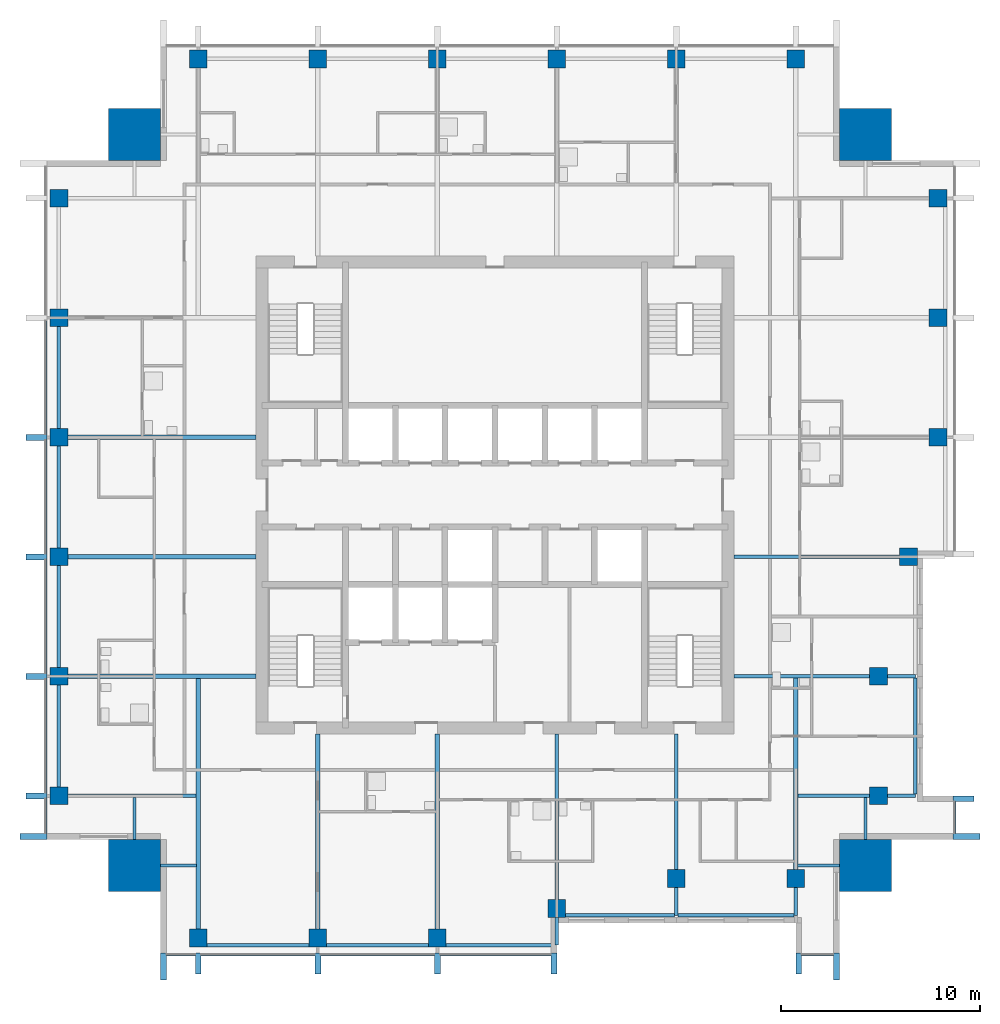
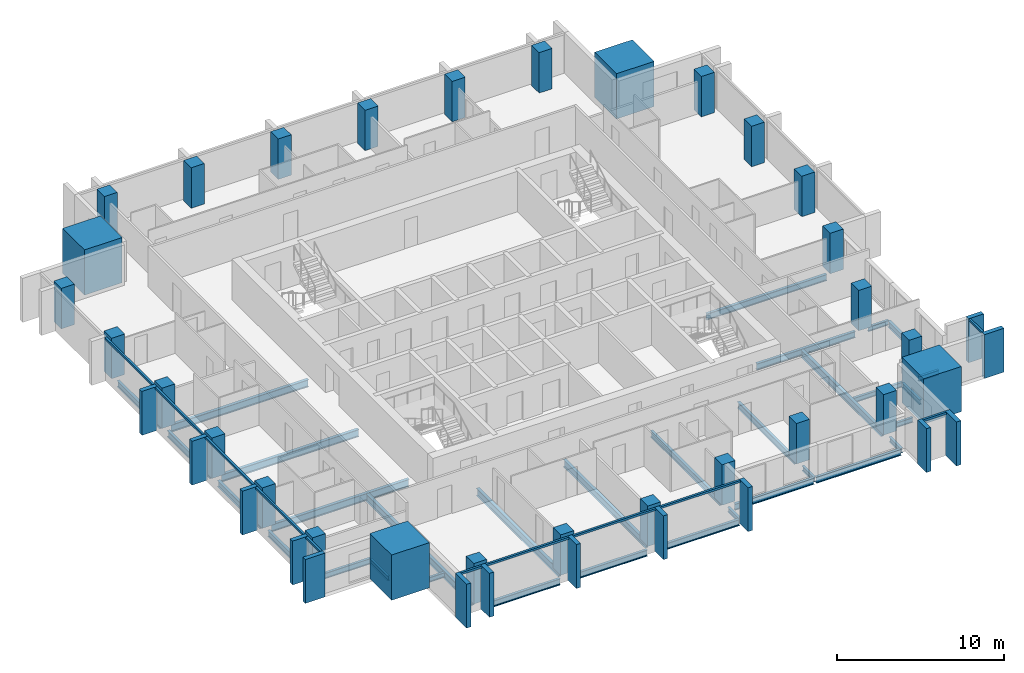
# One storey, part 1 of 10: 32 beams, 28 columns, 25 members, 4 elements without a shape of their own.
"""IFC4 building model written with IfcOpenShell, lengths in metres."""

from ifc_helpers import new_model, si_unit, direction, frame, origin, origin_2d, place, context, subcontext, project, spatial, rectangle, i_section, extrude, material, material_profile, profile_set, type_object, element, aggregate, save


model = new_model("IFC4")

# Units and contexts
model_context = context("Model", 3, precision=1e-05, world=origin(), true_north=direction((0.0, 1.0)))
body_context = subcontext(model_context, "Body", "Model", "MODEL_VIEW")
ifc_project = project(units=[si_unit("LENGTHUNIT", "METRE"), si_unit("AREAUNIT", "SQUARE_METRE"), si_unit("VOLUMEUNIT", "CUBIC_METRE"), si_unit("PLANEANGLEUNIT", "RADIAN"), si_unit("MASSUNIT", "GRAM", prefix="KILO")], contexts=[model_context])

# Site, building, storey
site_placement = place(None, origin())
site = spatial("IfcSite", under=ifc_project, at=site_placement, CompositionType="ELEMENT")
building_placement = place(site_placement, origin())
building = spatial("IfcBuilding", under=site, at=building_placement, Name="Amberfall Residences", CompositionType="ELEMENT")
storey_placement = place(building_placement, frame((0.0, 0.0, 226.60009765625)))
storey = spatial("IfcBuildingStorey", under=building, at=storey_placement, Name="L61", CompositionType="ELEMENT", Elevation=226.60009765625)

# Columns
ifc_material_1 = material(Name="Concrete C55", Category="concrete")
ifc_material_profile_1 = material_profile(ifc_material_1, rectangle(XDim=0.89990234375, YDim=0.89990234375, at=origin_2d()), Name="Column 900 x 900 C55")
ifc_profile_set_1 = profile_set([ifc_material_profile_1], Name="Concrete C55")
column_type_1 = type_object("IfcColumnType", Name="Column 900 x 900 C55", PredefinedType="COLUMN", material=ifc_profile_set_1)
for number, where, z_axis, x_axis, name in (
    (1, (59.60009765625, 23.25, 0.0), (0.0, 0.0, 1.0), (1.0, 0.0, 0.0), "Column C4 L61 S1"),
    (2, (65.60009765625, 23.25, 0.0), (0.0, 0.0, 1.0), (1.0, 0.0, 0.0), "Column C4 L61 S2"),
    (3, (71.60009765625, 23.25, 0.0), (0.0, 0.0, 1.0), (1.0, 0.0, 0.0), "Column C4 L61 S3"),
    (4, (77.60009765625, 24.75, 0.0), (0.0, 0.0, 1.0), (1.0, 0.0, 0.0), "Column C4 L61 S4"),
    (5, (83.60009765625, 26.25, 0.0), (0.0, 0.0, 1.0), (1.0, 0.0, 0.0), "Column C4 L61 S5"),
    (6, (89.60009765625, 26.25, 0.0), (0.0, 0.0, 1.0), (1.0, 0.0, 0.0), "Column C4 L61 S6"),
    (7, (93.75, 30.39990234375, 0.0), (0.0, 0.0, 1.0), (1.0, 0.0, 0.0), "Column C4 L61 E1"),
    (8, (93.75, 36.39990234375, 0.0), (0.0, 0.0, 1.0), (1.0, 0.0, 0.0), "Column C4 L61 E2"),
    (9, (95.25, 42.39990234375, 0.0), (0.0, 0.0, 1.0), (1.0, 0.0, 0.0), "Column C4 L61 E3"),
    (10, (96.75, 48.39990234375, 0.0), (0.0, 0.0, 1.0), (1.0, 0.0, 0.0), "Column C4 L61 E4"),
    (11, (96.75, 54.39990234375, 0.0), (0.0, 0.0, 1.0), (1.0, 0.0, 0.0), "Column C4 L61 E5"),
    (12, (96.75, 60.39990234375, 0.0), (0.0, 0.0, 1.0), (1.0, 0.0, 0.0), "Column C4 L61 E6"),
    (13, (59.60009765625, 67.39990234375, 0.0), (0.0, 0.0, 1.0), (1.0, 0.0, 0.0), "Column C4 L61 N1"),
    (14, (65.60009765625, 67.39990234375, 0.0), (0.0, 0.0, 1.0), (1.0, 0.0, 0.0), "Column C4 L61 N2"),
    (15, (71.60009765625, 67.39990234375, 0.0), (0.0, 0.0, 1.0), (1.0, 0.0, 0.0), "Column C4 L61 N3"),
    (16, (77.60009765625, 67.39990234375, 0.0), (0.0, 0.0, 1.0), (1.0, 0.0, 0.0), "Column C4 L61 N4"),
    (17, (83.60009765625, 67.39990234375, 0.0), (0.0, 0.0, 1.0), (1.0, 0.0, 0.0), "Column C4 L61 N5"),
    (18, (89.60009765625, 67.39990234375, 0.0), (0.0, 0.0, 1.0), (1.0, 0.0, 0.0), "Column C4 L61 N6"),
    (19, (52.60009765625, 30.39990234375, 0.0), (0.0, 0.0, 1.0), (1.0, 0.0, 0.0), "Column C4 L61 W1"),
    (20, (52.60009765625, 36.39990234375, 0.0), (0.0, 0.0, 1.0), (1.0, 0.0, 0.0), "Column C4 L61 W2"),
    (21, (52.60009765625, 42.39990234375, 0.0), (0.0, 0.0, 1.0), (1.0, 0.0, 0.0), "Column C4 L61 W3"),
    (22, (52.60009765625, 48.39990234375, 0.0), (0.0, 0.0, 1.0), (1.0, 0.0, 0.0), "Column C4 L61 W4"),
    (23, (52.60009765625, 54.39990234375, 0.0), (0.0, 0.0, 1.0), (1.0, 0.0, 0.0), "Column C4 L61 W5"),
    (24, (52.60009765625, 60.39990234375, 0.0), (0.0, 0.0, 1.0), (1.0, 0.0, 0.0), "Column C4 L61 W6"),
):
    element("IfcColumn", number, at=place(storey_placement, frame(where, z_axis=z_axis, x_axis=x_axis)), inside=storey, type_object=column_type_1, Name=name, PredefinedType="COLUMN", context=body_context, shape_type="SweptSolid", body=[
        extrude(rectangle(XDim=0.89990234375, YDim=0.89990234375, at=origin_2d()), origin(), (0.0, 0.0, 1.0), 2.949951171875),
    ])
ifc_material_profile_2 = material_profile(ifc_material_1, rectangle(XDim=2.60009765625, YDim=2.60009765625, at=origin_2d()), Name="Mega column 2600 x 2600 C55")
ifc_profile_set_2 = profile_set([ifc_material_profile_2], Name="Concrete C55")
column_type_2 = type_object("IfcColumnType", Name="Mega column 2600 x 2600 C55", PredefinedType="COLUMN", material=ifc_profile_set_2)
for number, where, z_axis, x_axis, name in (
    (25, (56.39990234375, 26.89990234375, 0.0), (0.0, 0.0, 1.0), (1.0, 0.0, 0.0), "Mega column MC8 L61 SW"),
    (26, (93.10009765625, 26.89990234375, 0.0), (0.0, 0.0, 1.0), (1.0, 0.0, 0.0), "Mega column MC8 L61 SE"),
    (27, (93.10009765625, 63.60009765625, 0.0), (0.0, 0.0, 1.0), (1.0, 0.0, 0.0), "Mega column MC8 L61 NE"),
    (28, (56.39990234375, 63.60009765625, 0.0), (0.0, 0.0, 1.0), (1.0, 0.0, 0.0), "Mega column MC8 L61 NW"),
):
    element("IfcColumn", number, at=place(storey_placement, frame(where, z_axis=z_axis, x_axis=x_axis)), inside=storey, type_object=column_type_2, Name=name, PredefinedType="COLUMN", context=body_context, shape_type="SweptSolid", body=[
        extrude(rectangle(XDim=2.60009765625, YDim=2.60009765625, at=origin_2d()), origin(), (0.0, 0.0, 1.0), 3.2998046875),
    ])

# Curtain wall, members
ifc_material_2 = material(Name="Bronze anodised aluminium and glass", Category="aluminium")
curtain_wall_type = type_object("IfcCurtainWallType", Name="Curtain wall CW1 tower unit", PredefinedType="USERDEFINED", material=ifc_material_2)
curtain_wall_1_placement = place(storey_placement, origin())
curtain_wall_1 = element("IfcCurtainWall", 29, at=curtain_wall_1_placement, inside=storey, type_object=curtain_wall_type, Name="Curtain wall L61 S S1", ObjectType="UNITISED CURTAIN WALL", PredefinedType="USERDEFINED")
ifc_material_3 = material(Name="Bronze anodised aluminium", Category="aluminium")
ifc_material_profile_3 = material_profile(ifc_material_3, rectangle(XDim=0.14990234375, YDim=0.14990234375, at=origin_2d()), Name="CW1 transom 150 x 150 bronze")
ifc_profile_set_3 = profile_set([ifc_material_profile_3], Name="Bronze anodised aluminium")
member_type_1 = type_object("IfcMemberType", Name="CW1 transom 150 x 150 bronze", PredefinedType="USERDEFINED", material=ifc_profile_set_3)
member_1_placement = place(storey_placement, frame((58.0, 22.425048828125, 2.875), z_axis=(1.0, 0.0, 0.0), x_axis=(0.0, 1.0, 0.0)))
member_1 = element("IfcMember", 30, at=member_1_placement, type_object=member_type_1, Name="CW1 transom 1.1", ObjectType="TRANSOM", PredefinedType="USERDEFINED", context=body_context, shape_type="SweptSolid", body=[
    extrude(rectangle(XDim=0.14990234375, YDim=0.14990234375, at=origin_2d()), origin(), (0.0, 0.0, 1.0), 1.449951171875),
])
member_2_placement = place(storey_placement, frame((59.75, 22.425048828125, 2.875), z_axis=(1.0, 0.0, 0.0), x_axis=(0.0, 1.0, 0.0)))
member_2 = element("IfcMember", 31, at=member_2_placement, type_object=member_type_1, Name="CW1 transom 2.1", ObjectType="TRANSOM", PredefinedType="USERDEFINED", context=body_context, shape_type="SweptSolid", body=[
    extrude(rectangle(XDim=0.14990234375, YDim=0.14990234375, at=origin_2d()), origin(), (0.0, 0.0, 1.0), 5.699951171875),
])
member_3_placement = place(storey_placement, frame((65.75, 22.425048828125, 2.875), z_axis=(1.0, 0.0, 0.0), x_axis=(0.0, 1.0, 0.0)))
member_3 = element("IfcMember", 32, at=member_3_placement, type_object=member_type_1, Name="CW1 transom 3.1", ObjectType="TRANSOM", PredefinedType="USERDEFINED", context=body_context, shape_type="SweptSolid", body=[
    extrude(rectangle(XDim=0.14990234375, YDim=0.14990234375, at=origin_2d()), origin(), (0.0, 0.0, 1.0), 5.699951171875),
])
member_4_placement = place(storey_placement, frame((71.75, 22.425048828125, 2.875), z_axis=(1.0, 0.0, 0.0), x_axis=(0.0, 1.0, 0.0)))
member_4 = element("IfcMember", 33, at=member_4_placement, type_object=member_type_1, Name="CW1 transom 4.1", ObjectType="TRANSOM", PredefinedType="USERDEFINED", context=body_context, shape_type="SweptSolid", body=[
    extrude(rectangle(XDim=0.14990234375, YDim=0.14990234375, at=origin_2d()), origin(), (0.0, 0.0, 1.0), 5.550048828125),
])

# Curtain wall, member
curtain_wall_2_placement = place(storey_placement, origin())
curtain_wall_2 = element("IfcCurtainWall", 34, at=curtain_wall_2_placement, inside=storey, type_object=curtain_wall_type, Name="Curtain wall L61 S S6", ObjectType="UNITISED CURTAIN WALL", PredefinedType="USERDEFINED")
member_5_placement = place(storey_placement, frame((89.89990234375, 22.425048828125, 2.875), z_axis=(1.0, 0.0, 0.0), x_axis=(0.0, 1.0, 0.0)))
member_5 = element("IfcMember", 35, at=member_5_placement, type_object=member_type_1, Name="CW1 transom 1.1", ObjectType="TRANSOM", PredefinedType="USERDEFINED", context=body_context, shape_type="SweptSolid", body=[
    extrude(rectangle(XDim=0.14990234375, YDim=0.14990234375, at=origin_2d()), origin(), (0.0, 0.0, 1.0), 1.60009765625),
])

curtain_wall_3_placement = place(storey_placement, origin())
curtain_wall_3 = element("IfcCurtainWall", 36, at=curtain_wall_3_placement, inside=storey, type_object=curtain_wall_type, Name="Curtain wall L61 E E1", ObjectType="UNITISED CURTAIN WALL", PredefinedType="USERDEFINED")
member_6_placement = place(storey_placement, frame((97.574951171875, 28.5, 2.875), z_axis=(0.0, 1.0, 0.0), x_axis=(-1.0, 0.0, 0.0)))
member_6 = element("IfcMember", 37, at=member_6_placement, type_object=member_type_1, Name="CW1 transom 1.1", ObjectType="TRANSOM", PredefinedType="USERDEFINED", context=body_context, shape_type="SweptSolid", body=[
    extrude(rectangle(XDim=0.14990234375, YDim=0.14990234375, at=origin_2d()), origin(), (0.0, 0.0, 1.0), 1.60009765625),
])

# Curtain wall, members
curtain_wall_4_placement = place(storey_placement, origin())
curtain_wall_4 = element("IfcCurtainWall", 38, at=curtain_wall_4_placement, inside=storey, type_object=curtain_wall_type, Name="Curtain wall L61 W W1", ObjectType="UNITISED CURTAIN WALL", PredefinedType="USERDEFINED")
member_7_placement = place(storey_placement, frame((51.925048828125, 54.25, 2.875), z_axis=(0.0, -1.0, 0.0), x_axis=(1.0, 0.0, 0.0)))
member_7 = element("IfcMember", 39, at=member_7_placement, type_object=member_type_1, Name="CW1 transom 3.1", ObjectType="TRANSOM", PredefinedType="USERDEFINED", context=body_context, shape_type="SweptSolid", body=[
    extrude(rectangle(XDim=0.14990234375, YDim=0.14990234375, at=origin_2d()), origin(), (0.0, 0.0, 1.0), 5.699951171875),
])
member_8_placement = place(storey_placement, frame((51.925048828125, 48.25, 2.875), z_axis=(0.0, -1.0, 0.0), x_axis=(1.0, 0.0, 0.0)))
member_8 = element("IfcMember", 40, at=member_8_placement, type_object=member_type_1, Name="CW1 transom 4.1", ObjectType="TRANSOM", PredefinedType="USERDEFINED", context=body_context, shape_type="SweptSolid", body=[
    extrude(rectangle(XDim=0.14990234375, YDim=0.14990234375, at=origin_2d()), origin(), (0.0, 0.0, 1.0), 5.699951171875),
])
member_9_placement = place(storey_placement, frame((51.925048828125, 42.25, 2.875), z_axis=(0.0, -1.0, 0.0), x_axis=(1.0, 0.0, 0.0)))
member_9 = element("IfcMember", 41, at=member_9_placement, type_object=member_type_1, Name="CW1 transom 5.1", ObjectType="TRANSOM", PredefinedType="USERDEFINED", context=body_context, shape_type="SweptSolid", body=[
    extrude(rectangle(XDim=0.14990234375, YDim=0.14990234375, at=origin_2d()), origin(), (0.0, 0.0, 1.0), 5.699951171875),
])
member_10_placement = place(storey_placement, frame((51.925048828125, 36.25, 2.875), z_axis=(0.0, -1.0, 0.0), x_axis=(1.0, 0.0, 0.0)))
member_10 = element("IfcMember", 42, at=member_10_placement, type_object=member_type_1, Name="CW1 transom 6.1", ObjectType="TRANSOM", PredefinedType="USERDEFINED", context=body_context, shape_type="SweptSolid", body=[
    extrude(rectangle(XDim=0.14990234375, YDim=0.14990234375, at=origin_2d()), origin(), (0.0, 0.0, 1.0), 5.699951171875),
])
member_11_placement = place(storey_placement, frame((51.925048828125, 30.25, 2.875), z_axis=(0.0, -1.0, 0.0), x_axis=(1.0, 0.0, 0.0)))
member_11 = element("IfcMember", 43, at=member_11_placement, type_object=member_type_1, Name="CW1 transom 7.1", ObjectType="TRANSOM", PredefinedType="USERDEFINED", context=body_context, shape_type="SweptSolid", body=[
    extrude(rectangle(XDim=0.14990234375, YDim=0.14990234375, at=origin_2d()), origin(), (0.0, 0.0, 1.0), 1.75),
])

# Beams
ifc_material_4 = material(Name="Steel S355", Category="steel")
ifc_material_profile_4 = material_profile(ifc_material_4, i_section(OverallWidth=0.171142578125, OverallDepth=0.351318359375, WebThickness=0.007080078125, FlangeThickness=0.009765625, FilletRadius=0.01025390625, at=origin_2d()), Name="UB 356x171x45")
ifc_profile_set_4 = profile_set([ifc_material_profile_4], Name="Steel S355")
beam_type_1 = type_object("IfcBeamType", Name="Cantilever girder UB 356x171x45", PredefinedType="BEAM", material=ifc_profile_set_4)
for number, where, z_axis, x_axis, name in (
    (44, (77.60009765625, 24.300048828125, -0.42578125), (0.0, -1.0, 0.0), (1.0, 0.0, 0.0), "Cantilever girder B8 L61 06"),
    (45, (83.60009765625, 25.800048828125, -0.42578125), (0.0, -1.0, 0.0), (1.0, 0.0, 0.0), "Cantilever girder B8 L61 07"),
    (46, (89.60009765625, 25.800048828125, -0.42578125), (0.0, -1.0, 0.0), (1.0, 0.0, 0.0), "Cantilever girder B8 L61 08"),
    (47, (94.199951171875, 30.39990234375, -0.42578125), (1.0, 0.0, 0.0), (0.0, 1.0, 0.0), "Cantilever girder B8 L61 20"),
    (48, (94.199951171875, 36.39990234375, -0.42578125), (1.0, 0.0, 0.0), (0.0, 1.0, 0.0), "Cantilever girder B8 L61 21"),
):
    element("IfcBeam", number, at=place(storey_placement, frame(where, z_axis=z_axis, x_axis=x_axis)), inside=storey, type_object=beam_type_1, Name=name, PredefinedType="BEAM", context=body_context, shape_type="SweptSolid", body=[
        extrude(i_section(OverallWidth=0.171142578125, OverallDepth=0.351318359375, WebThickness=0.007080078125, FlangeThickness=0.009765625, FilletRadius=0.01025390625, at=origin_2d()), origin(), (0.0, 0.0, 1.0), 1.400146484375),
    ])

# Member
ifc_material_profile_5 = material_profile(ifc_material_3, rectangle(XDim=1.35009765625, YDim=0.300048828125, at=origin_2d()), Name="Corner fin 300 x 1350 bronze")
ifc_profile_set_5 = profile_set([ifc_material_profile_5], Name="Bronze anodised aluminium")
member_type_2 = type_object("IfcMemberType", Name="Corner fin 300 x 1350 bronze", PredefinedType="MULLION", material=ifc_profile_set_5)
member_12_placement = place(storey_placement, frame((57.85009765625, 21.824951171875, -0.25), z_axis=(0.0, 0.0, 1.0), x_axis=(0.0, 1.0, 0.0)))
member_12 = element("IfcMember", 49, at=member_12_placement, type_object=member_type_2, Name="CW FIN 1", PredefinedType="MULLION", context=body_context, shape_type="SweptSolid", body=[
    extrude(rectangle(XDim=1.35009765625, YDim=0.300048828125, at=origin_2d()), origin(), (0.0, 0.0, 1.0), 3.199951171875),
])

member_13_placement = place(storey_placement, frame((91.64990234375, 21.824951171875, -0.25), z_axis=(0.0, 0.0, 1.0), x_axis=(0.0, 1.0, 0.0)))
member_13 = element("IfcMember", 50, at=member_13_placement, type_object=member_type_2, Name="CW FIN 2", PredefinedType="MULLION", context=body_context, shape_type="SweptSolid", body=[
    extrude(rectangle(XDim=1.35009765625, YDim=0.300048828125, at=origin_2d()), origin(), (0.0, 0.0, 1.0), 3.199951171875),
])

member_14_placement = place(storey_placement, frame((98.175048828125, 28.35009765625, -0.25), z_axis=(0.0, 0.0, 1.0), x_axis=(-1.0, 0.0, 0.0)))
member_14 = element("IfcMember", 51, at=member_14_placement, type_object=member_type_2, Name="CW FIN 1", PredefinedType="MULLION", context=body_context, shape_type="SweptSolid", body=[
    extrude(rectangle(XDim=1.35009765625, YDim=0.300048828125, at=origin_2d()), origin(), (0.0, 0.0, 1.0), 3.199951171875),
])

member_15_placement = place(storey_placement, frame((51.324951171875, 28.35009765625, -0.25), z_axis=(0.0, 0.0, 1.0), x_axis=(1.0, 0.0, 0.0)))
member_15 = element("IfcMember", 52, at=member_15_placement, type_object=member_type_2, Name="CW FIN 8", PredefinedType="MULLION", context=body_context, shape_type="SweptSolid", body=[
    extrude(rectangle(XDim=1.35009765625, YDim=0.300048828125, at=origin_2d()), origin(), (0.0, 0.0, 1.0), 3.199951171875),
])

# Beams
ifc_material_profile_6 = material_profile(ifc_material_4, i_section(OverallWidth=0.18994140625, OverallDepth=0.453369140625, WebThickness=0.008544921875, FlangeThickness=0.0126953125, FilletRadius=0.01025390625, at=origin_2d()), Name="UB 457x191x67")
ifc_profile_set_6 = profile_set([ifc_material_profile_6], Name="Steel S355")
beam_type_2 = type_object("IfcBeamType", Name="Edge beam UB 457x191x67", PredefinedType="SPANDREL", material=ifc_profile_set_6)
for number, where, z_axis, x_axis, name in (
    (53, (60.050048828125, 22.89990234375, -0.476806640625), (1.0, 0.0, 0.0), (0.0, 1.0, 0.0), "Edge beam B1 L61 01"),
    (54, (66.050048828125, 22.89990234375, -0.476806640625), (1.0, 0.0, 0.0), (0.0, 1.0, 0.0), "Edge beam B1 L61 02"),
):
    element("IfcBeam", number, at=place(storey_placement, frame(where, z_axis=z_axis, x_axis=x_axis)), inside=storey, type_object=beam_type_2, Name=name, PredefinedType="SPANDREL", context=body_context, shape_type="SweptSolid", body=[
        extrude(i_section(OverallWidth=0.18994140625, OverallDepth=0.453369140625, WebThickness=0.008544921875, FlangeThickness=0.0126953125, FilletRadius=0.01025390625, at=origin_2d()), origin(), (0.0, 0.0, 1.0), 5.099853515625),
    ])
for number, where, z_axis, x_axis, name in (
    (55, (72.050048828125, 22.89990234375, -0.476806640625), (1.0, 0.0, 0.0), (0.0, 1.0, 0.0), "Edge beam B1 L61 03"),
    (56, (78.050048828125, 24.39990234375, -0.476806640625), (1.0, 0.0, 0.0), (0.0, 1.0, 0.0), "Edge beam B1 L61 04"),
):
    element("IfcBeam", number, at=place(storey_placement, frame(where, z_axis=z_axis, x_axis=x_axis)), inside=storey, type_object=beam_type_2, Name=name, PredefinedType="SPANDREL", context=body_context, shape_type="SweptSolid", body=[
        extrude(i_section(OverallWidth=0.18994140625, OverallDepth=0.453369140625, WebThickness=0.008544921875, FlangeThickness=0.0126953125, FilletRadius=0.01025390625, at=origin_2d()), origin(), (0.0, 0.0, 1.0), 5.469970703125),
    ])
for number, where, z_axis, x_axis, name in (
    (57, (83.679931640625, 24.39990234375, -0.476806640625), (1.0, 0.0, 0.0), (0.0, 1.0, 0.0), "Edge beam B1 L61 05"),
    (58, (95.60009765625, 30.47998046875, -0.476806640625), (0.0, 1.0, 0.0), (-1.0, 0.0, 0.0), "Edge beam B1 L61 15"),
):
    element("IfcBeam", number, at=place(storey_placement, frame(where, z_axis=z_axis, x_axis=x_axis)), inside=storey, type_object=beam_type_2, Name=name, PredefinedType="SPANDREL", context=body_context, shape_type="SweptSolid", body=[
        extrude(i_section(OverallWidth=0.18994140625, OverallDepth=0.453369140625, WebThickness=0.008544921875, FlangeThickness=0.0126953125, FilletRadius=0.01025390625, at=origin_2d()), origin(), (0.0, 0.0, 1.0), 5.840087890625),
    ])
for number, where, z_axis, x_axis, name in (
    (59, (52.60009765625, 30.85009765625, -0.476806640625), (0.0, 1.0, 0.0), (-1.0, 0.0, 0.0), "Edge beam B1 L61 40"),
    (60, (52.60009765625, 36.85009765625, -0.476806640625), (0.0, 1.0, 0.0), (-1.0, 0.0, 0.0), "Edge beam B1 L61 41"),
    (61, (52.60009765625, 42.85009765625, -0.476806640625), (0.0, 1.0, 0.0), (-1.0, 0.0, 0.0), "Edge beam B1 L61 42"),
    (62, (52.60009765625, 48.85009765625, -0.476806640625), (0.0, 1.0, 0.0), (-1.0, 0.0, 0.0), "Edge beam B1 L61 43"),
):
    element("IfcBeam", number, at=place(storey_placement, frame(where, z_axis=z_axis, x_axis=x_axis)), inside=storey, type_object=beam_type_2, Name=name, PredefinedType="SPANDREL", context=body_context, shape_type="SweptSolid", body=[
        extrude(i_section(OverallWidth=0.18994140625, OverallDepth=0.453369140625, WebThickness=0.008544921875, FlangeThickness=0.0126953125, FilletRadius=0.01025390625, at=origin_2d()), origin(), (0.0, 0.0, 1.0), 5.099853515625),
    ])

# Member
ifc_material_profile_7 = material_profile(ifc_material_3, rectangle(XDim=1.050048828125, YDim=0.300048828125, at=origin_2d()), Name="Fin 300 x 1050 bronze")
ifc_profile_set_7 = profile_set([ifc_material_profile_7], Name="Bronze anodised aluminium")
member_type_3 = type_object("IfcMemberType", Name="Fin 300 x 1050 bronze", PredefinedType="MULLION", material=ifc_profile_set_7)
member_16_placement = place(storey_placement, frame((59.60009765625, 21.97509765625, -0.25), z_axis=(0.0, 0.0, 1.0), x_axis=(0.0, 1.0, 0.0)))
member_16 = element("IfcMember", 63, at=member_16_placement, type_object=member_type_3, Name="CW FIN 2", PredefinedType="MULLION", context=body_context, shape_type="SweptSolid", body=[
    extrude(rectangle(XDim=1.050048828125, YDim=0.300048828125, at=origin_2d()), origin(), (0.0, 0.0, 1.0), 3.199951171875),
])

member_17_placement = place(storey_placement, frame((65.60009765625, 21.97509765625, -0.25), z_axis=(0.0, 0.0, 1.0), x_axis=(0.0, 1.0, 0.0)))
member_17 = element("IfcMember", 64, at=member_17_placement, type_object=member_type_3, Name="CW FIN 3", PredefinedType="MULLION", context=body_context, shape_type="SweptSolid", body=[
    extrude(rectangle(XDim=1.050048828125, YDim=0.300048828125, at=origin_2d()), origin(), (0.0, 0.0, 1.0), 3.199951171875),
])

member_18_placement = place(storey_placement, frame((71.60009765625, 21.97509765625, -0.25), z_axis=(0.0, 0.0, 1.0), x_axis=(0.0, 1.0, 0.0)))
member_18 = element("IfcMember", 65, at=member_18_placement, type_object=member_type_3, Name="CW FIN 4", PredefinedType="MULLION", context=body_context, shape_type="SweptSolid", body=[
    extrude(rectangle(XDim=1.050048828125, YDim=0.300048828125, at=origin_2d()), origin(), (0.0, 0.0, 1.0), 3.199951171875),
])

member_19_placement = place(storey_placement, frame((77.449951171875, 21.97509765625, -0.25), z_axis=(0.0, 0.0, 1.0), x_axis=(0.0, 1.0, 0.0)))
member_19 = element("IfcMember", 66, at=member_19_placement, type_object=member_type_3, Name="CW FIN 5", PredefinedType="MULLION", context=body_context, shape_type="SweptSolid", body=[
    extrude(rectangle(XDim=1.050048828125, YDim=0.300048828125, at=origin_2d()), origin(), (0.0, 0.0, 1.0), 3.199951171875),
])

aggregate(curtain_wall_1, [member_12, member_16, member_17, member_18, member_19, member_1, member_2, member_3, member_4])

member_20_placement = place(storey_placement, frame((89.75, 21.97509765625, -0.25), z_axis=(0.0, 0.0, 1.0), x_axis=(0.0, 1.0, 0.0)))
member_20 = element("IfcMember", 67, at=member_20_placement, type_object=member_type_3, Name="CW FIN 1", PredefinedType="MULLION", context=body_context, shape_type="SweptSolid", body=[
    extrude(rectangle(XDim=1.050048828125, YDim=0.300048828125, at=origin_2d()), origin(), (0.0, 0.0, 1.0), 3.199951171875),
])

aggregate(curtain_wall_2, [member_20, member_13, member_5])

member_21_placement = place(storey_placement, frame((98.02490234375, 30.25, -0.25), z_axis=(0.0, 0.0, 1.0), x_axis=(-1.0, 0.0, 0.0)))
member_21 = element("IfcMember", 68, at=member_21_placement, type_object=member_type_3, Name="CW FIN 2", PredefinedType="MULLION", context=body_context, shape_type="SweptSolid", body=[
    extrude(rectangle(XDim=1.050048828125, YDim=0.300048828125, at=origin_2d()), origin(), (0.0, 0.0, 1.0), 3.199951171875),
])

aggregate(curtain_wall_3, [member_14, member_21, member_6])

member_22_placement = place(storey_placement, frame((51.47509765625, 48.39990234375, -0.25), z_axis=(0.0, 0.0, 1.0), x_axis=(1.0, 0.0, 0.0)))
member_22 = element("IfcMember", 69, at=member_22_placement, type_object=member_type_3, Name="CW FIN 4", PredefinedType="MULLION", context=body_context, shape_type="SweptSolid", body=[
    extrude(rectangle(XDim=1.050048828125, YDim=0.300048828125, at=origin_2d()), origin(), (0.0, 0.0, 1.0), 3.199951171875),
])

member_23_placement = place(storey_placement, frame((51.47509765625, 42.39990234375, -0.25), z_axis=(0.0, 0.0, 1.0), x_axis=(1.0, 0.0, 0.0)))
member_23 = element("IfcMember", 70, at=member_23_placement, type_object=member_type_3, Name="CW FIN 5", PredefinedType="MULLION", context=body_context, shape_type="SweptSolid", body=[
    extrude(rectangle(XDim=1.050048828125, YDim=0.300048828125, at=origin_2d()), origin(), (0.0, 0.0, 1.0), 3.199951171875),
])

member_24_placement = place(storey_placement, frame((51.47509765625, 36.39990234375, -0.25), z_axis=(0.0, 0.0, 1.0), x_axis=(1.0, 0.0, 0.0)))
member_24 = element("IfcMember", 71, at=member_24_placement, type_object=member_type_3, Name="CW FIN 6", PredefinedType="MULLION", context=body_context, shape_type="SweptSolid", body=[
    extrude(rectangle(XDim=1.050048828125, YDim=0.300048828125, at=origin_2d()), origin(), (0.0, 0.0, 1.0), 3.199951171875),
])

member_25_placement = place(storey_placement, frame((51.47509765625, 30.39990234375, -0.25), z_axis=(0.0, 0.0, 1.0), x_axis=(1.0, 0.0, 0.0)))
member_25 = element("IfcMember", 72, at=member_25_placement, type_object=member_type_3, Name="CW FIN 7", PredefinedType="MULLION", context=body_context, shape_type="SweptSolid", body=[
    extrude(rectangle(XDim=1.050048828125, YDim=0.300048828125, at=origin_2d()), origin(), (0.0, 0.0, 1.0), 3.199951171875),
])

aggregate(curtain_wall_4, [member_22, member_23, member_24, member_25, member_15, member_7, member_8, member_9, member_10, member_11])

# Beams
ifc_material_profile_8 = material_profile(ifc_material_4, i_section(OverallWidth=0.171142578125, OverallDepth=0.351318359375, WebThickness=0.007080078125, FlangeThickness=0.009765625, FilletRadius=0.01025390625, at=origin_2d()), Name="UB 356x171x45")
ifc_profile_set_8 = profile_set([ifc_material_profile_8], Name="Steel S355")
beam_type_3 = type_object("IfcBeamType", Name="Floor girder UB 356x171x45", PredefinedType="BEAM", material=ifc_profile_set_8)
beam_1_placement = place(storey_placement, frame((93.300048828125, 30.39990234375, -0.42578125), z_axis=(-1.0, 0.0, 0.0), x_axis=(0.0, -1.0, 0.0)))
element("IfcBeam", 73, at=beam_1_placement, inside=storey, type_object=beam_type_3, Name="Floor girder B11 L61 23", PredefinedType="BEAM", context=body_context, shape_type="SweptSolid", body=[
    extrude(i_section(OverallWidth=0.171142578125, OverallDepth=0.351318359375, WebThickness=0.007080078125, FlangeThickness=0.009765625, FilletRadius=0.01025390625, at=origin_2d()), origin(), (0.0, 0.0, 1.0), 3.580078125),
])
ifc_material_profile_9 = material_profile(ifc_material_4, i_section(OverallWidth=0.177734375, OverallDepth=0.402587890625, WebThickness=0.0078125, FlangeThickness=0.010986328125, FilletRadius=0.01025390625, at=origin_2d()), Name="UB 406x178x54")
ifc_profile_set_9 = profile_set([ifc_material_profile_9], Name="Steel S355")
beam_type_4 = type_object("IfcBeamType", Name="Floor girder UB 406x178x54", PredefinedType="BEAM", material=ifc_profile_set_9)
beam_2_placement = place(storey_placement, frame((53.050048828125, 30.39990234375, -0.451416015625), z_axis=(1.0, 0.0, 0.0), x_axis=(0.0, 1.0, 0.0)))
element("IfcBeam", 74, at=beam_2_placement, inside=storey, type_object=beam_type_4, Name="Floor girder B4 L61 45", PredefinedType="BEAM", context=body_context, shape_type="SweptSolid", body=[
    extrude(i_section(OverallWidth=0.177734375, OverallDepth=0.402587890625, WebThickness=0.0078125, FlangeThickness=0.010986328125, FilletRadius=0.01025390625, at=origin_2d()), origin(), (0.0, 0.0, 1.0), 6.429931640625),
])
ifc_material_profile_10 = material_profile(ifc_material_4, i_section(OverallWidth=0.19140625, OverallDepth=0.4599609375, WebThickness=0.010009765625, FlangeThickness=0.01611328125, FilletRadius=0.01025390625, at=origin_2d()), Name="UB 457x191x82")
ifc_profile_set_10 = profile_set([ifc_material_profile_10], Name="Steel S355")
beam_type_5 = type_object("IfcBeamType", Name="Floor girder UB 457x191x82", PredefinedType="BEAM", material=ifc_profile_set_10)
beam_3_placement = place(storey_placement, frame((77.60009765625, 25.199951171875, -0.47998046875), z_axis=(0.0, 1.0, 0.0), x_axis=(-1.0, 0.0, 0.0)))
element("IfcBeam", 75, at=beam_3_placement, inside=storey, type_object=beam_type_5, Name="Floor girder B10 L61 12", PredefinedType="BEAM", context=body_context, shape_type="SweptSolid", body=[
    extrude(i_section(OverallWidth=0.19140625, OverallDepth=0.4599609375, WebThickness=0.010009765625, FlangeThickness=0.01611328125, FilletRadius=0.01025390625, at=origin_2d()), origin(), (0.0, 0.0, 1.0), 8.300048828125),
])
for number, where, z_axis, x_axis, name in (
    (76, (83.60009765625, 26.699951171875, -0.47998046875), (0.0, 1.0, 0.0), (-1.0, 0.0, 0.0), "Floor girder B10 L61 13"),
    (77, (93.300048828125, 36.39990234375, -0.47998046875), (-1.0, 0.0, 0.0), (0.0, -1.0, 0.0), "Floor girder B10 L61 24"),
):
    element("IfcBeam", number, at=place(storey_placement, frame(where, z_axis=z_axis, x_axis=x_axis)), inside=storey, type_object=beam_type_5, Name=name, PredefinedType="BEAM", context=body_context, shape_type="SweptSolid", body=[
        extrude(i_section(OverallWidth=0.19140625, OverallDepth=0.4599609375, WebThickness=0.010009765625, FlangeThickness=0.01611328125, FilletRadius=0.01025390625, at=origin_2d()), origin(), (0.0, 0.0, 1.0), 6.800048828125),
    ])
beam_4_placement = place(storey_placement, frame((94.800048828125, 42.39990234375, -0.47998046875), z_axis=(-1.0, 0.0, 0.0), x_axis=(0.0, -1.0, 0.0)))
element("IfcBeam", 78, at=beam_4_placement, inside=storey, type_object=beam_type_5, Name="Floor girder B10 L61 25", PredefinedType="BEAM", context=body_context, shape_type="SweptSolid", body=[
    extrude(i_section(OverallWidth=0.19140625, OverallDepth=0.4599609375, WebThickness=0.010009765625, FlangeThickness=0.01611328125, FilletRadius=0.01025390625, at=origin_2d()), origin(), (0.0, 0.0, 1.0), 8.300048828125),
])
ifc_material_profile_11 = material_profile(ifc_material_4, i_section(OverallWidth=0.210693359375, OverallDepth=0.53955078125, WebThickness=0.01171875, FlangeThickness=0.018798828125, FilletRadius=0.0126953125, at=origin_2d()), Name="UB 533x210x109")
ifc_profile_set_11 = profile_set([ifc_material_profile_11], Name="Steel S355")
beam_type_6 = type_object("IfcBeamType", Name="Floor girder UB 533x210x109", PredefinedType="BEAM", material=ifc_profile_set_11)
beam_5_placement = place(storey_placement, frame((59.60009765625, 23.699951171875, -0.519775390625), z_axis=(0.0, 1.0, 0.0), x_axis=(-1.0, 0.0, 0.0)))
element("IfcBeam", 79, at=beam_5_placement, inside=storey, type_object=beam_type_6, Name="Floor girder B2 L61 09", PredefinedType="BEAM", context=body_context, shape_type="SweptSolid", body=[
    extrude(i_section(OverallWidth=0.210693359375, OverallDepth=0.53955078125, WebThickness=0.01171875, FlangeThickness=0.018798828125, FilletRadius=0.0126953125, at=origin_2d()), origin(), (0.0, 0.0, 1.0), 12.600341796875),
])
ifc_material_profile_12 = material_profile(ifc_material_4, i_section(OverallWidth=0.209228515625, OverallDepth=0.533203125, WebThickness=0.010009765625, FlangeThickness=0.015625, FilletRadius=0.0126953125, at=origin_2d()), Name="UB 533x210x92")
ifc_profile_set_12 = profile_set([ifc_material_profile_12], Name="Steel S355")
beam_type_7 = type_object("IfcBeamType", Name="Floor girder UB 533x210x92", PredefinedType="BEAM", material=ifc_profile_set_12)
for number, where, z_axis, x_axis, name in (
    (80, (65.60009765625, 23.699951171875, -0.5166015625), (0.0, 1.0, 0.0), (-1.0, 0.0, 0.0), "Floor girder B3 L61 10"),
    (81, (71.60009765625, 23.699951171875, -0.5166015625), (0.0, 1.0, 0.0), (-1.0, 0.0, 0.0), "Floor girder B3 L61 11"),
):
    element("IfcBeam", number, at=place(storey_placement, frame(where, z_axis=z_axis, x_axis=x_axis)), inside=storey, type_object=beam_type_7, Name=name, PredefinedType="BEAM", context=body_context, shape_type="SweptSolid", body=[
        extrude(i_section(OverallWidth=0.209228515625, OverallDepth=0.533203125, WebThickness=0.010009765625, FlangeThickness=0.015625, FilletRadius=0.0126953125, at=origin_2d()), origin(), (0.0, 0.0, 1.0), 9.800048828125),
    ])
beam_6_placement = place(storey_placement, frame((89.60009765625, 26.699951171875, -0.5166015625), z_axis=(0.0, 1.0, 0.0), x_axis=(-1.0, 0.0, 0.0)))
element("IfcBeam", 82, at=beam_6_placement, inside=storey, type_object=beam_type_7, Name="Floor girder B3 L61 14", PredefinedType="BEAM", context=body_context, shape_type="SweptSolid", body=[
    extrude(i_section(OverallWidth=0.209228515625, OverallDepth=0.533203125, WebThickness=0.010009765625, FlangeThickness=0.015625, FilletRadius=0.0126953125, at=origin_2d()), origin(), (0.0, 0.0, 1.0), 9.609375),
])
for number, where, z_axis, x_axis, name in (
    (83, (53.050048828125, 36.39990234375, -0.5166015625), (1.0, 0.0, 0.0), (0.0, 1.0, 0.0), "Floor girder B3 L61 46"),
    (84, (53.050048828125, 42.39990234375, -0.5166015625), (1.0, 0.0, 0.0), (0.0, 1.0, 0.0), "Floor girder B3 L61 47"),
    (85, (53.050048828125, 48.39990234375, -0.5166015625), (1.0, 0.0, 0.0), (0.0, 1.0, 0.0), "Floor girder B3 L61 48"),
):
    element("IfcBeam", number, at=place(storey_placement, frame(where, z_axis=z_axis, x_axis=x_axis)), inside=storey, type_object=beam_type_7, Name=name, PredefinedType="BEAM", context=body_context, shape_type="SweptSolid", body=[
        extrude(i_section(OverallWidth=0.209228515625, OverallDepth=0.533203125, WebThickness=0.010009765625, FlangeThickness=0.015625, FilletRadius=0.0126953125, at=origin_2d()), origin(), (0.0, 0.0, 1.0), 9.449951171875),
    ])
ifc_material_profile_13 = material_profile(ifc_material_4, i_section(OverallWidth=0.171142578125, OverallDepth=0.351318359375, WebThickness=0.007080078125, FlangeThickness=0.009765625, FilletRadius=0.01025390625, at=origin_2d()), Name="UB 356x171x45")
ifc_profile_set_13 = profile_set([ifc_material_profile_13], Name="Steel S355")
beam_type_8 = type_object("IfcBeamType", Name="Link beam UB 356x171x45", PredefinedType="BEAM", material=ifc_profile_set_13)
beam_7_placement = place(storey_placement, frame((57.699951171875, 26.89990234375, -0.42578125), z_axis=(1.0, 0.0, 0.0), x_axis=(0.0, 1.0, 0.0)))
element("IfcBeam", 86, at=beam_7_placement, inside=storey, type_object=beam_type_8, Name="Link beam B7 L61 51", PredefinedType="BEAM", context=body_context, shape_type="SweptSolid", body=[
    extrude(i_section(OverallWidth=0.171142578125, OverallDepth=0.351318359375, WebThickness=0.007080078125, FlangeThickness=0.009765625, FilletRadius=0.01025390625, at=origin_2d()), origin(), (0.0, 0.0, 1.0), 1.8046875),
])
beam_8_placement = place(storey_placement, frame((56.39990234375, 28.199951171875, -0.42578125), z_axis=(0.0, 1.0, 0.0), x_axis=(-1.0, 0.0, 0.0)))
element("IfcBeam", 87, at=beam_8_placement, inside=storey, type_object=beam_type_8, Name="Link beam B7 L61 52", PredefinedType="BEAM", context=body_context, shape_type="SweptSolid", body=[
    extrude(i_section(OverallWidth=0.171142578125, OverallDepth=0.351318359375, WebThickness=0.007080078125, FlangeThickness=0.009765625, FilletRadius=0.01025390625, at=origin_2d()), origin(), (0.0, 0.0, 1.0), 2.121337890625),
])
beam_9_placement = place(storey_placement, frame((91.800048828125, 26.89990234375, -0.42578125), z_axis=(-1.0, 0.0, 0.0), x_axis=(0.0, -1.0, 0.0)))
element("IfcBeam", 88, at=beam_9_placement, inside=storey, type_object=beam_type_8, Name="Link beam B7 L61 53", PredefinedType="BEAM", context=body_context, shape_type="SweptSolid", body=[
    extrude(i_section(OverallWidth=0.171142578125, OverallDepth=0.351318359375, WebThickness=0.007080078125, FlangeThickness=0.009765625, FilletRadius=0.01025390625, at=origin_2d()), origin(), (0.0, 0.0, 1.0), 2.10546875),
])
beam_10_placement = place(storey_placement, frame((93.10009765625, 28.199951171875, -0.42578125), z_axis=(0.0, 1.0, 0.0), x_axis=(-1.0, 0.0, 0.0)))
element("IfcBeam", 89, at=beam_10_placement, inside=storey, type_object=beam_type_8, Name="Link beam B7 L61 54", PredefinedType="BEAM", context=body_context, shape_type="SweptSolid", body=[
    extrude(i_section(OverallWidth=0.171142578125, OverallDepth=0.351318359375, WebThickness=0.007080078125, FlangeThickness=0.009765625, FilletRadius=0.01025390625, at=origin_2d()), origin(), (0.0, 0.0, 1.0), 2.12451171875),
])

save(model, "model.ifc")
